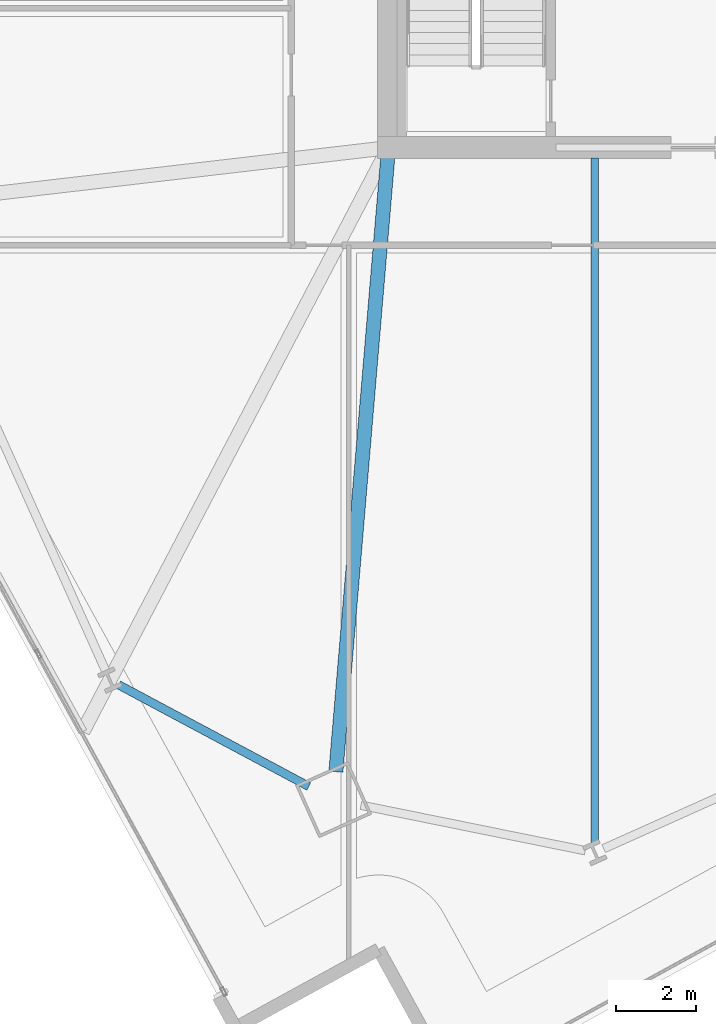
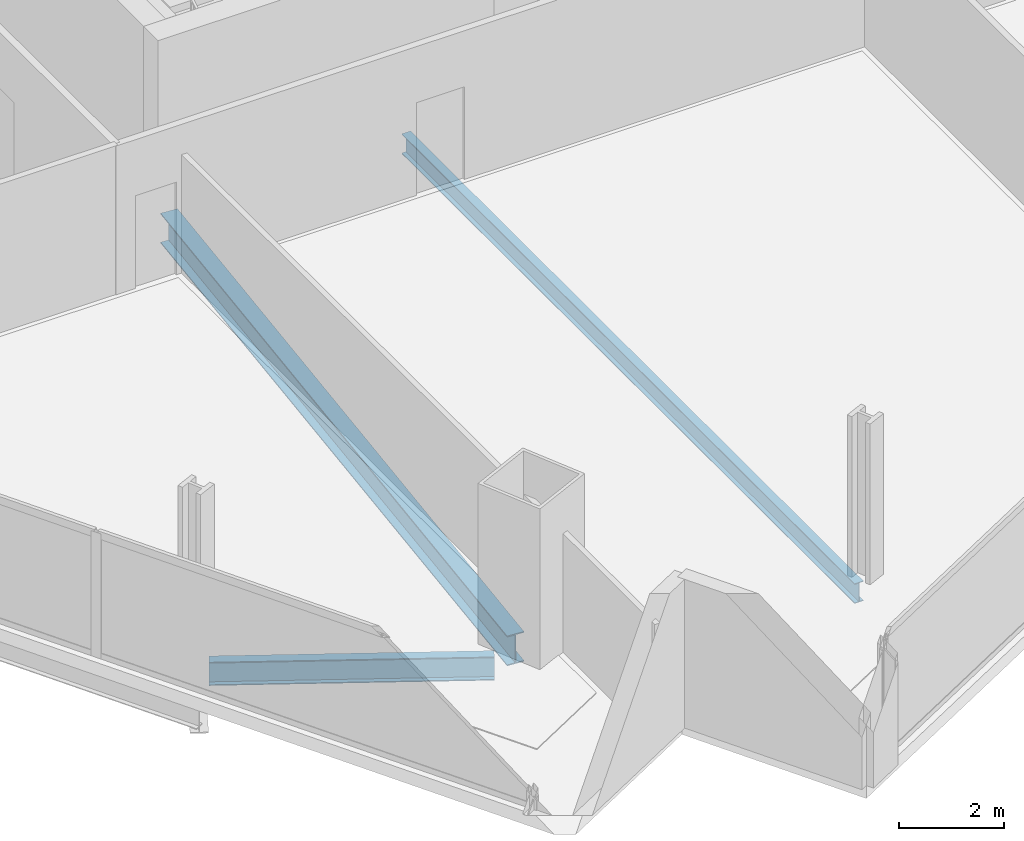
# One storey, part 4 of 33: 3 beams.
"""IFC4 building model written with IfcOpenShell, lengths in metres."""

from ifc_helpers import new_model, si_unit, direction, frame, origin, origin_2d, place, context, subcontext, project, spatial, i_section, extrude, material, material_profile, profile_set, type_object, element, save


model = new_model("IFC4")

# Units and contexts
model_context = context("Model", 3, precision=1e-05, world=origin(), true_north=direction((0.0, 1.0)))
body_context = subcontext(model_context, "Body", "Model", "MODEL_VIEW")
ifc_project = project(units=[si_unit("LENGTHUNIT", "METRE"), si_unit("AREAUNIT", "SQUARE_METRE"), si_unit("VOLUMEUNIT", "CUBIC_METRE"), si_unit("PLANEANGLEUNIT", "RADIAN"), si_unit("MASSUNIT", "GRAM", prefix="KILO")], contexts=[model_context])

# Site, building, storey
site_placement = place(None, origin())
site = spatial("IfcSite", under=ifc_project, at=site_placement, CompositionType="ELEMENT")
building_placement = place(site_placement, origin())
building = spatial("IfcBuilding", under=site, at=building_placement, Name="Haldenkirk Collegiate Tower", CompositionType="ELEMENT")
storey_placement = place(building_placement, frame((0.0, 0.0, 124.199951171875)))
storey = spatial("IfcBuildingStorey", under=building, at=storey_placement, Name="L30", CompositionType="ELEMENT", Elevation=124.199951171875)

# Beams
ifc_material = material(Name="Steel ASTM A992 Grade 50", Category="steel")
ifc_material_profile_1 = material_profile(ifc_material, i_section(OverallWidth=0.35498046875, OverallDepth=0.696044921875, WebThickness=0.015380859375, FlangeThickness=0.02490234375, at=origin_2d()), Name="W27X146")
ifc_profile_set_1 = profile_set([ifc_material_profile_1], Name="Steel ASTM A992 Grade 50")
beam_type_1 = type_object("IfcBeamType", Name="BM-GIRDER-W27X146", PredefinedType="BEAM", material=ifc_profile_set_1)
beam_1_placement = place(storey_placement, frame((25.67578125, 2.3203125, -0.64794921875), z_axis=(0.084153524607, 0.996452800837, 0.0), x_axis=(-0.996452800837, 0.084153524607, 0.0)))
element("IfcBeam", 1, at=beam_1_placement, inside=storey, type_object=beam_type_1, Name="L30 primary floor girder 01", PredefinedType="BEAM", context=body_context, shape_type="SweptSolid", body=[
    extrude(i_section(OverallWidth=0.35498046875, OverallDepth=0.696044921875, WebThickness=0.015380859375, FlangeThickness=0.02490234375, at=origin_2d()), origin(), (0.0, 0.0, 1.0), 15.48046875),
])
ifc_material_profile_2 = material_profile(ifc_material, i_section(OverallWidth=0.19189453125, OverallDepth=0.462890625, WebThickness=0.010498046875, FlangeThickness=0.017578125, at=origin_2d()), Name="W18X60")
ifc_profile_set_2 = profile_set([ifc_material_profile_2], Name="Steel ASTM A992 Grade 50")
beam_type_2 = type_object("IfcBeamType", Name="BM-JOIST-W18X60", PredefinedType="JOIST", material=ifc_profile_set_2)
beam_2_placement = place(storey_placement, frame((32.181396484375, 0.53271484375, -0.531494140625), z_axis=(0.0, 1.0, 0.0), x_axis=(-1.0, 0.0, 0.0)))
element("IfcBeam", 2, at=beam_2_placement, inside=storey, type_object=beam_type_2, Name="L30 composite floor joist 05", PredefinedType="JOIST", context=body_context, shape_type="SweptSolid", body=[
    extrude(i_section(OverallWidth=0.19189453125, OverallDepth=0.462890625, WebThickness=0.010498046875, FlangeThickness=0.017578125, at=origin_2d()), origin(), (0.0, 0.0, 1.0), 17.21240234375),
])
ifc_material_profile_3 = material_profile(ifc_material, i_section(OverallWidth=0.2119140625, OverallDepth=0.5439453125, WebThickness=0.01318359375, FlangeThickness=0.021240234375, at=origin_2d()), Name="W21X83")
ifc_profile_set_3 = profile_set([ifc_material_profile_3], Name="Steel ASTM A992 Grade 50")
beam_type_3 = type_object("IfcBeamType", Name="BM-SPANDREL-W21X83", PredefinedType="SPANDREL", material=ifc_profile_set_3)
beam_3_placement = place(storey_placement, frame((20.21240234375, 4.505615234375, -0.572021484375), z_axis=(0.881987493029, -0.471272810737, 0.0), x_axis=(0.471272810737, 0.881987493029, 0.0)))
element("IfcBeam", 3, at=beam_3_placement, inside=storey, type_object=beam_type_3, Name="L30 perimeter spandrel beam 16", PredefinedType="SPANDREL", context=body_context, shape_type="SweptSolid", body=[
    extrude(i_section(OverallWidth=0.2119140625, OverallDepth=0.5439453125, WebThickness=0.01318359375, FlangeThickness=0.021240234375, at=origin_2d()), origin(), (0.0, 0.0, 1.0), 5.42236328125),
])

save(model, "model.ifc")
